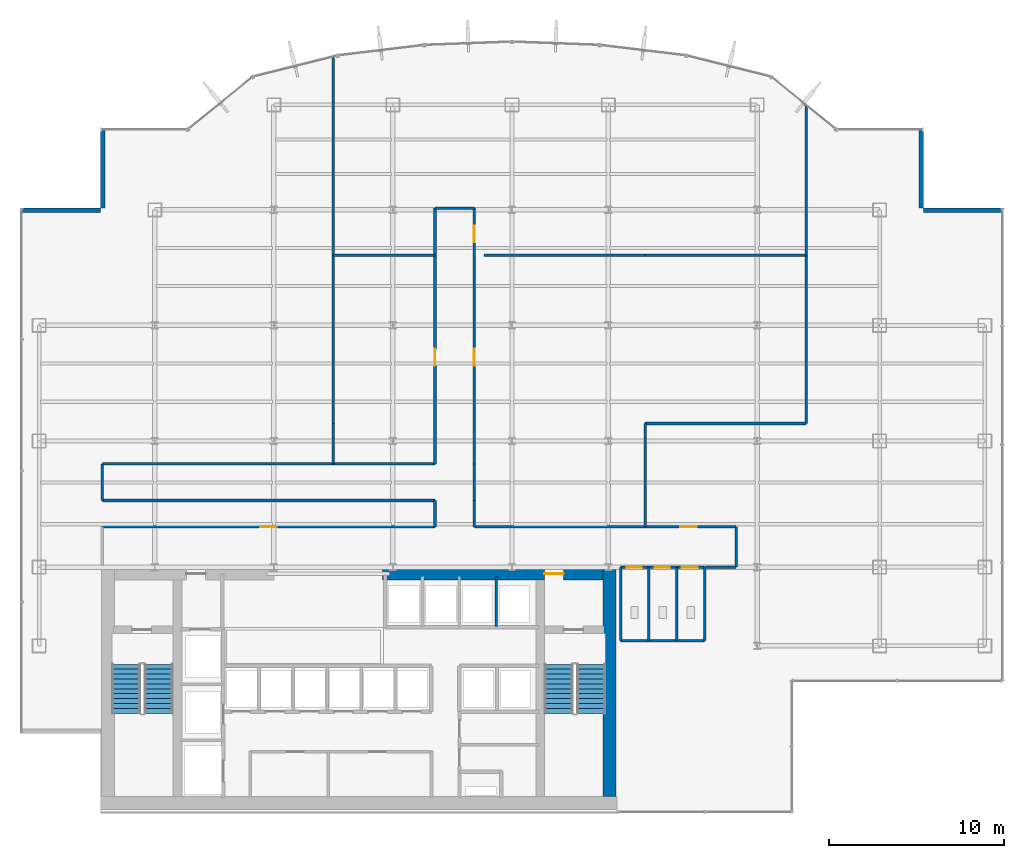
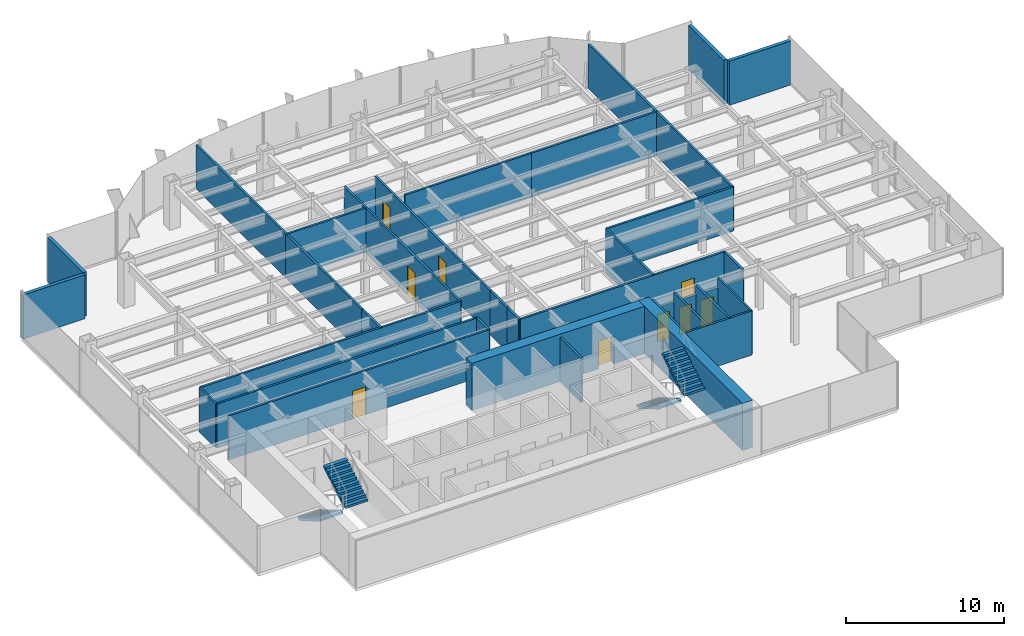
# One storey, part 22 of 26: 36 walls, 9 doors, 4 stair flights, 9 openings, 2 elements without a shape of their own.
"""IFC4 building model written with IfcOpenShell, lengths in metres."""

from ifc_helpers import new_model, si_unit, derived_unit, direction, frame, frame_2d, origin, place, context, subcontext, project, spatial, polyline, rectangle, outline, extrude, source, transform, mapped, material, layer, layer_set, type_object, element, fill, aggregate, save


model = new_model("IFC4")

# Units and contexts
model_context = context("Model", 3, precision=1e-05, world=origin(), true_north=direction((0.0, 1.0)))
body_context = subcontext(model_context, "Body", "Model", "MODEL_VIEW")
ifc_project = project(units=[si_unit("LENGTHUNIT", "METRE"), si_unit("AREAUNIT", "SQUARE_METRE"), si_unit("VOLUMEUNIT", "CUBIC_METRE"), si_unit("PLANEANGLEUNIT", "RADIAN"), si_unit("MASSUNIT", "GRAM", prefix="KILO"), derived_unit("THERMALTRANSMITTANCEUNIT", [(si_unit("POWERUNIT", "WATT"), 1), (si_unit("LENGTHUNIT", "METRE"), -2), (si_unit("THERMODYNAMICTEMPERATUREUNIT", "KELVIN"), -1)])], contexts=[model_context])

# Site, building, storey
site_placement = place(None, origin())
site = spatial("IfcSite", under=ifc_project, at=site_placement, CompositionType="ELEMENT")
building_placement = place(site_placement, origin())
building = spatial("IfcBuilding", under=site, at=building_placement, Name="Skarnbrae Concourse Arena and Tower", CompositionType="ELEMENT")
storey_placement = place(building_placement, frame((0.0, 0.0, 95.949951171875)))
storey = spatial("IfcBuildingStorey", under=building, at=storey_placement, Name="L23", CompositionType="ELEMENT", Elevation=95.949951171875)

# Wall
ifc_material_1 = material(Name="Concrete 60 MPa (C60/75)", Category="concrete")
ifc_layer_1 = layer(ifc_material_1, 0.75)
ifc_layer_set_1 = layer_set([ifc_layer_1], Name="Concrete 60 MPa (C60/75)")
wall_type_1 = type_object("IfcWallType", Name="WALL-CORE-750-C60", PredefinedType="SHEAR", material=ifc_layer_set_1)
shared_shape_1 = source(origin(), body_context, "Body", "SweptSolid", [
    extrude(rectangle(XDim=13.10009765625, YDim=0.75, at=frame_2d((6.550048828125, 0.0))), origin(), (0.0, 0.0, 1.0), 3.650146484375),
])
wall_1_placement = place(storey_placement, frame((33.574951171875, 0.89990234375, 0.0), z_axis=(0.0, 0.0, 1.0), x_axis=(0.0, 1.0, 0.0)))
element("IfcWall", 1, at=wall_1_placement, inside=storey, type_object=wall_type_1, Name="L23 Rear core shear wall CW-E", PredefinedType="SHEAR", context=body_context, shape_type="MappedRepresentation", body=[
    mapped(shared_shape_1, transform((0.0, 0.0, 0.0))),
])

# Wall, opening, door
shared_shape_2 = source(origin(), body_context, "Body", "SweptSolid", [
    extrude(rectangle(XDim=12.599853515625, YDim=0.75, at=frame_2d((6.2998046875, 0.0))), origin(), (0.0, 0.0, 1.0), 3.650146484375),
])
wall_2_placement = place(storey_placement, frame((20.60009765625, 13.625, 0.0), z_axis=(0.0, 0.0, 1.0), x_axis=(1.0, 0.0, 0.0)))
wall_2 = element("IfcWall", 2, at=wall_2_placement, inside=storey, type_object=wall_type_1, Name="L23 Rear core shear wall CW-NE", PredefinedType="SHEAR", context=body_context, shape_type="MappedRepresentation", body=[
    mapped(shared_shape_2, transform((0.0, 0.0, 0.0))),
])
opening_1_placement = place(wall_2_placement, frame((9.25, 0.0, 0.0)))
opening_1 = element("IfcOpeningElement", 3, at=opening_1_placement, cuts=wall_2, Name="Opening DT-03", PredefinedType="OPENING", context=body_context, shape_type="SweptSolid", body=[
    extrude(rectangle(XDim=1.10009765625, YDim=2.14990234375, at=frame_2d((0.550048828125, 1.074951171875))), frame((0.0, 0.385009765625, 0.0), z_axis=(0.0, -1.0, 0.0), x_axis=(1.0, 0.0, 0.0)), (0.0, 0.0, 1.0), 0.77001953125),
])
ifc_material_2 = material(Name="Steel CSA G40.21 350W", Category="steel")
door_type_1 = type_object("IfcDoorType", Name="DOOR-FIRE-1100-90M", OperationType="NOTDEFINED", PredefinedType="DOOR", material=ifc_material_2)
shared_shape_3 = source(origin(), body_context, "Body", "SweptSolid", [
    extrude(rectangle(XDim=1.10009765625, YDim=2.14990234375, at=frame_2d((0.550048828125, 1.074951171875))), frame((0.0, 0.02490234375, 0.0), z_axis=(0.0, -1.0, 0.0), x_axis=(1.0, 0.0, 0.0)), (0.0, 0.0, 1.0), 0.050048828125),
])
door_1_placement = place(opening_1_placement, origin())
door_1 = element("IfcDoor", 4, at=door_1_placement, inside=storey, type_object=door_type_1, Name="D-0790 Stair ST-2 Vestibule Door", OperationType="SINGLE_SWING_LEFT", OverallHeight=2.14990234375, OverallWidth=1.10009765625, PredefinedType="DOOR", context=body_context, shape_type="MappedRepresentation", body=[
    mapped(shared_shape_3, transform((0.0, 0.0, 0.0))),
])
fill(opening_1, door_1)

# Walls
ifc_material_3 = material(Name="Precast concrete 40 MPa (C40/50)", Category="concrete")
ifc_layer_2 = layer(ifc_material_3, 0.25)
ifc_layer_set_2 = layer_set([ifc_layer_2], Name="Precast concrete 40 MPa (C40/50)")
wall_type_2 = type_object("IfcWallType", Name="WALL-EXT-SPANDREL-250", PredefinedType="STANDARD", material=ifc_layer_set_2)
shared_shape_4 = source(origin(), body_context, "Body", "SweptSolid", [
    extrude(rectangle(XDim=4.5, YDim=0.25, at=frame_2d((2.25, 0.0))), origin(), (0.0, 0.0, 1.0), 3.400146484375),
])
for number, where, z_axis, x_axis, name in (
    (5, (56.0, 34.375, 0.0), (0.0, 0.0, 1.0), (-1.0, 0.0, 0.0), "L23 Notched corner insulated return wall 05"),
    (6, (51.375, 34.5, 0.0), (0.0, 0.0, 1.0), (0.0, 1.0, 0.0), "L23 Notched corner insulated return wall 06"),
    (7, (4.625, 39.0, 0.0), (0.0, 0.0, 1.0), (0.0, -1.0, 0.0), "L23 Notched corner insulated return wall 17"),
    (8, (4.5, 34.375, 0.0), (0.0, 0.0, 1.0), (-1.0, 0.0, 0.0), "L23 Notched corner insulated return wall 18"),
):
    element("IfcWall", number, at=place(storey_placement, frame(where, z_axis=z_axis, x_axis=x_axis)), inside=storey, type_object=wall_type_2, Name=name, PredefinedType="STANDARD", context=body_context, shape_type="MappedRepresentation", body=[
        mapped(shared_shape_4, transform((0.0, 0.0, 0.0))),
    ])
ifc_material_4 = material(Name="Gypsum board on cold-formed steel studs", Category="steel")
ifc_layer_3 = layer(ifc_material_4, 0.14990234375)
ifc_layer_set_3 = layer_set([ifc_layer_3], Name="Gypsum board on cold-formed steel studs")
wall_type_3 = type_object("IfcWallType", Name="WALL-PART-150", PredefinedType="PARTITIONING", material=ifc_layer_set_3)
shared_shape_5 = source(origin(), body_context, "Body", "SweptSolid", [
    extrude(rectangle(XDim=2.849853515625, YDim=0.14990234375, at=frame_2d((1.4248046875, 0.0))), origin(), (0.0, 0.0, 1.0), 3.400146484375),
])
wall_3_placement = place(storey_placement, frame((27.090087890625, 10.60009765625, 0.0), z_axis=(0.0, 0.0, 1.0), x_axis=(0.0, 1.0, 0.0)))
element("IfcWall", 9, at=wall_3_placement, inside=storey, type_object=wall_type_3, Name="L23 Interior partition wall W-L23-B3N-P3", PredefinedType="PARTITIONING", context=body_context, shape_type="MappedRepresentation", body=[
    mapped(shared_shape_5, transform((0.0, 0.0, 0.0))),
])
shared_shape_6 = source(origin(), body_context, "Body", "SweptSolid", [
    extrude(rectangle(XDim=4.800048828125, YDim=0.14990234375, at=frame_2d((2.39990234375, 0.0))), origin(), (0.0, 0.0, 1.0), 3.400146484375),
])
wall_4_placement = place(storey_placement, frame((34.199951171875, 9.800048828125, 0.0), z_axis=(0.0, 0.0, 1.0), x_axis=(1.0, 0.0, 0.0)))
element("IfcWall", 10, at=wall_4_placement, inside=storey, type_object=wall_type_3, Name="L23 Interior partition wall W-L23-WC-S", PredefinedType="PARTITIONING", context=body_context, shape_type="MappedRepresentation", body=[
    mapped(shared_shape_6, transform((0.0, 0.0, 0.0))),
])
shared_shape_7 = source(origin(), body_context, "Body", "SweptSolid", [
    extrude(rectangle(XDim=4.179931640625, YDim=0.14990234375, at=frame_2d((2.08984375, 0.0))), origin(), (0.0, 0.0, 1.0), 3.400146484375),
])
for number, where, z_axis, x_axis, name in (
    (11, (39.0, 9.800048828125, 0.0), (0.0, 0.0, 1.0), (0.0, 1.0, 0.0), "L23 Interior partition wall W-L23-WC-E"),
    (12, (34.199951171875, 9.800048828125, 0.0), (0.0, 0.0, 1.0), (0.0, 1.0, 0.0), "L23 Interior partition wall W-L23-WC-W"),
    (13, (35.800048828125, 9.800048828125, 0.0), (0.0, 0.0, 1.0), (0.0, 1.0, 0.0), "L23 Interior partition wall W-L23-WC-D1"),
    (14, (37.39990234375, 9.800048828125, 0.0), (0.0, 0.0, 1.0), (0.0, 1.0, 0.0), "L23 Interior partition wall W-L23-WC-D2"),
):
    element("IfcWall", number, at=place(storey_placement, frame(where, z_axis=z_axis, x_axis=x_axis)), inside=storey, type_object=wall_type_3, Name=name, PredefinedType="PARTITIONING", context=body_context, shape_type="MappedRepresentation", body=[
        mapped(shared_shape_7, transform((0.0, 0.0, 0.0))),
    ])

# Wall, openings, doors
shared_shape_8 = source(origin(), body_context, "Body", "SweptSolid", [
    extrude(rectangle(XDim=4.800048828125, YDim=0.14990234375, at=frame_2d((2.39990234375, 0.0))), origin(), (0.0, 0.0, 1.0), 2.7021484375),
])
wall_5_placement = place(storey_placement, frame((34.199951171875, 13.97998046875, 0.0), z_axis=(0.0, 0.0, 1.0), x_axis=(1.0, 0.0, 0.0)))
wall_5 = element("IfcWall", 15, at=wall_5_placement, inside=storey, type_object=wall_type_3, Name="L23 Interior partition wall W-L23-WC-N", PredefinedType="PARTITIONING", context=body_context, shape_type="MappedRepresentation", body=[
    mapped(shared_shape_8, transform((0.0, 0.0, 0.0))),
])
opening_2_placement = place(wall_5_placement, frame((0.35009765625, 0.0, 0.0)))
opening_2 = element("IfcOpeningElement", 16, at=opening_2_placement, cuts=wall_5, Name="Opening DT-06", PredefinedType="OPENING", context=body_context, shape_type="SweptSolid", body=[
    extrude(rectangle(XDim=0.85009765625, YDim=2.10009765625, at=frame_2d((0.425048828125, 1.050048828125))), frame((0.0, 0.0849609375, 0.0), z_axis=(0.0, -1.0, 0.0), x_axis=(1.0, 0.0, 0.0)), (0.0, 0.0, 1.0), 0.169921875),
])
opening_3_placement = place(wall_5_placement, frame((1.949951171875, 0.0, 0.0)))
opening_3 = element("IfcOpeningElement", 17, at=opening_3_placement, cuts=wall_5, Name="Opening DT-06", PredefinedType="OPENING", context=body_context, shape_type="SweptSolid", body=[
    extrude(rectangle(XDim=0.85009765625, YDim=2.10009765625, at=frame_2d((0.425048828125, 1.050048828125))), frame((0.0, 0.0849609375, 0.0), z_axis=(0.0, -1.0, 0.0), x_axis=(1.0, 0.0, 0.0)), (0.0, 0.0, 1.0), 0.169921875),
])
opening_4_placement = place(wall_5_placement, frame((3.5, 0.0, 0.0)))
opening_4 = element("IfcOpeningElement", 18, at=opening_4_placement, cuts=wall_5, Name="Opening DT-05", PredefinedType="OPENING", context=body_context, shape_type="SweptSolid", body=[
    extrude(rectangle(XDim=0.89990234375, YDim=2.10009765625, at=frame_2d((0.449951171875, 1.050048828125))), frame((0.0, 0.0849609375, 0.0), z_axis=(0.0, -1.0, 0.0), x_axis=(1.0, 0.0, 0.0)), (0.0, 0.0, 1.0), 0.169921875),
])
ifc_material_5 = material(Name="Architectural oak veneer timber leaf", Category="wood")
door_type_2 = type_object("IfcDoorType", Name="DOOR-INT-850", OperationType="NOTDEFINED", PredefinedType="DOOR", material=ifc_material_5)
shared_shape_9 = source(origin(), body_context, "Body", "SweptSolid", [
    extrude(rectangle(XDim=0.85009765625, YDim=2.10009765625, at=frame_2d((0.425048828125, 1.050048828125))), frame((0.0, 0.02490234375, 0.0), z_axis=(0.0, -1.0, 0.0), x_axis=(1.0, 0.0, 0.0)), (0.0, 0.0, 1.0), 0.050048828125),
])
door_2_placement = place(opening_2_placement, frame((0.85009765625, 0.0, 0.0), z_axis=(0.0, 0.0, 1.0), x_axis=(-1.0, 0.0, 0.0)))
door_2 = element("IfcDoor", 19, at=door_2_placement, inside=storey, type_object=door_type_2, Name="D-0804 Male Washroom Door", OperationType="SINGLE_SWING_LEFT", OverallHeight=2.10009765625, OverallWidth=0.85009765625, PredefinedType="DOOR", context=body_context, shape_type="MappedRepresentation", body=[
    mapped(shared_shape_9, transform((0.0, 0.0, 0.0))),
])
fill(opening_2, door_2)
door_3_placement = place(opening_3_placement, frame((0.85009765625, 0.0, 0.0), z_axis=(0.0, 0.0, 1.0), x_axis=(-1.0, 0.0, 0.0)))
door_3 = element("IfcDoor", 20, at=door_3_placement, inside=storey, type_object=door_type_2, Name="D-0805 Female Washroom Door", OperationType="SINGLE_SWING_RIGHT", OverallHeight=2.10009765625, OverallWidth=0.85009765625, PredefinedType="DOOR", context=body_context, shape_type="MappedRepresentation", body=[
    mapped(shared_shape_9, transform((0.0, 0.0, 0.0))),
])
fill(opening_3, door_3)
door_type_3 = type_object("IfcDoorType", Name="DOOR-INT-900", OperationType="NOTDEFINED", PredefinedType="DOOR", material=ifc_material_5)
shared_shape_10 = source(origin(), body_context, "Body", "SweptSolid", [
    extrude(rectangle(XDim=0.89990234375, YDim=2.10009765625, at=frame_2d((0.449951171875, 1.050048828125))), frame((0.0, 0.02490234375, 0.0), z_axis=(0.0, -1.0, 0.0), x_axis=(1.0, 0.0, 0.0)), (0.0, 0.0, 1.0), 0.050048828125),
])
door_4_placement = place(opening_4_placement, frame((0.89990234375, 0.0, 0.0), z_axis=(0.0, 0.0, 1.0), x_axis=(-1.0, 0.0, 0.0)))
door_4 = element("IfcDoor", 21, at=door_4_placement, inside=storey, type_object=door_type_3, Name="D-0806 Accessible WC Door", OperationType="SINGLE_SWING_LEFT", OverallHeight=2.10009765625, OverallWidth=0.89990234375, PredefinedType="DOOR", context=body_context, shape_type="MappedRepresentation", body=[
    mapped(shared_shape_10, transform((0.0, 0.0, 0.0))),
])
fill(opening_4, door_4)

# Walls
ifc_layer_4 = layer(ifc_material_4, 0.14990234375)
ifc_layer_set_4 = layer_set([ifc_layer_4], Name="Gypsum board on cold-formed steel studs")
wall_type_4 = type_object("IfcWallType", Name="WALL-PART-150-1HR", PredefinedType="PARTITIONING", material=ifc_layer_set_4)
shared_shape_11 = source(origin(), body_context, "Body", "SweptSolid", [
    extrude(rectangle(XDim=2.25, YDim=0.14990234375, at=frame_2d((1.125, 0.0))), origin(), (0.0, 0.0, 1.0), 2.7021484375),
])
wall_6_placement = place(storey_placement, frame((23.60009765625, 34.5, 0.0), z_axis=(0.0, 0.0, 1.0), x_axis=(1.0, 0.0, 0.0)))
element("IfcWall", 22, at=wall_6_placement, inside=storey, type_object=wall_type_4, Name="L23 Interior partition wall W-L23-COR-08", PredefinedType="PARTITIONING", context=body_context, shape_type="MappedRepresentation", body=[
    mapped(shared_shape_11, transform((0.0, 0.0, 0.0))),
])
shared_shape_12 = source(origin(), body_context, "Body", "SweptSolid", [
    extrude(rectangle(XDim=2.300048828125, YDim=0.14990234375, at=frame_2d((1.14990234375, 0.0))), origin(), (0.0, 0.0, 1.0), 3.400146484375),
])
wall_7_placement = place(storey_placement, frame((40.800048828125, 16.300048828125, 0.0), z_axis=(0.0, 0.0, 1.0), x_axis=(0.0, -1.0, 0.0)))
element("IfcWall", 23, at=wall_7_placement, inside=storey, type_object=wall_type_4, Name="L23 Interior partition wall W-L23-COR-13", PredefinedType="PARTITIONING", context=body_context, shape_type="MappedRepresentation", body=[
    mapped(shared_shape_12, transform((0.0, 0.0, 0.0))),
])
wall_8_placement = place(storey_placement, frame((17.800048828125, 22.199951171875, 0.0), z_axis=(0.0, 0.0, 1.0), x_axis=(0.0, -1.0, 0.0)))
element("IfcWall", 24, at=wall_8_placement, inside=storey, type_object=wall_type_3, Name="L23 Interior partition wall W-L23-DEM-16", PredefinedType="PARTITIONING", context=body_context, shape_type="MappedRepresentation", body=[
    mapped(shared_shape_12, transform((0.0, 0.0, 0.0))),
])
shared_shape_13 = source(origin(), body_context, "Body", "SweptSolid", [
    extrude(rectangle(XDim=1.75, YDim=0.14990234375, at=frame_2d((0.875, 0.0))), origin(), (0.0, 0.0, 1.0), 2.7021484375),
])
wall_9_placement = place(storey_placement, frame((40.800048828125, 14.0, 0.0), z_axis=(0.0, 0.0, 1.0), x_axis=(-1.0, 0.0, 0.0)))
element("IfcWall", 25, at=wall_9_placement, inside=storey, type_object=wall_type_4, Name="L23 Interior partition wall W-L23-COR-14", PredefinedType="PARTITIONING", context=body_context, shape_type="MappedRepresentation", body=[
    mapped(shared_shape_13, transform((0.0, 0.0, 0.0))),
])

# Wall, opening, door
shared_shape_14 = source(origin(), body_context, "Body", "SweptSolid", [
    extrude(rectangle(XDim=19.0, YDim=0.14990234375, at=frame_2d((9.5, 0.0))), origin(), (0.0, 0.0, 1.0), 3.400146484375),
])
wall_10_placement = place(storey_placement, frame((4.60009765625, 16.300048828125, 0.0), z_axis=(0.0, 0.0, 1.0), x_axis=(1.0, 0.0, 0.0)))
wall_10 = element("IfcWall", 26, at=wall_10_placement, inside=storey, type_object=wall_type_4, Name="L23 Interior partition wall W-L23-COR-02", PredefinedType="PARTITIONING", context=body_context, shape_type="MappedRepresentation", body=[
    mapped(shared_shape_14, transform((0.0, 0.0, 0.0))),
])
opening_5_placement = place(wall_10_placement, frame((9.02490234375, 0.0, 0.0)))
opening_5 = element("IfcOpeningElement", 27, at=opening_5_placement, cuts=wall_10, Name="Opening DT-04", PredefinedType="OPENING", context=body_context, shape_type="SweptSolid", body=[
    extrude(rectangle(XDim=0.949951171875, YDim=2.14990234375, at=frame_2d((0.47509765625, 1.074951171875))), frame((0.0, 0.0849609375, 0.0), z_axis=(0.0, -1.0, 0.0), x_axis=(1.0, 0.0, 0.0)), (0.0, 0.0, 1.0), 0.169921875),
])
door_type_4 = type_object("IfcDoorType", Name="DOOR-INT-950-45M", OperationType="NOTDEFINED", PredefinedType="DOOR", material=ifc_material_2)
shared_shape_15 = source(origin(), body_context, "Body", "SweptSolid", [
    extrude(rectangle(XDim=0.949951171875, YDim=2.14990234375, at=frame_2d((0.47509765625, 1.074951171875))), frame((0.0, 0.02490234375, 0.0), z_axis=(0.0, -1.0, 0.0), x_axis=(1.0, 0.0, 0.0)), (0.0, 0.0, 1.0), 0.050048828125),
])
door_5_placement = place(opening_5_placement, origin())
door_5 = element("IfcDoor", 28, at=door_5_placement, inside=storey, type_object=door_type_4, Name="D-0807 L23 Suite Door 01", OperationType="SINGLE_SWING_RIGHT", OverallHeight=2.14990234375, OverallWidth=0.949951171875, PredefinedType="DOOR", context=body_context, shape_type="MappedRepresentation", body=[
    mapped(shared_shape_15, transform((0.0, 0.0, 0.0))),
])
fill(opening_5, door_5)

# Walls
for number, where, z_axis, x_axis, name in (
    (29, (23.60009765625, 17.800048828125, 0.0), (0.0, 0.0, 1.0), (-1.0, 0.0, 0.0), "L23 Interior partition wall W-L23-COR-04"),
    (30, (4.60009765625, 19.89990234375, 0.0), (0.0, 0.0, 1.0), (1.0, 0.0, 0.0), "L23 Interior partition wall W-L23-COR-06"),
):
    element("IfcWall", number, at=place(storey_placement, frame(where, z_axis=z_axis, x_axis=x_axis)), inside=storey, type_object=wall_type_4, Name=name, PredefinedType="PARTITIONING", context=body_context, shape_type="MappedRepresentation", body=[
        mapped(shared_shape_14, transform((0.0, 0.0, 0.0))),
    ])
shared_shape_16 = source(origin(), body_context, "Body", "SweptSolid", [
    extrude(rectangle(XDim=1.5, YDim=0.14990234375, at=frame_2d((0.75, 0.0))), origin(), (0.0, 0.0, 1.0), 3.400146484375),
])
for number, where, z_axis, x_axis, name in (
    (31, (23.60009765625, 16.300048828125, 0.0), (0.0, 0.0, 1.0), (0.0, 1.0, 0.0), "L23 Interior partition wall W-L23-COR-03"),
    (32, (25.85009765625, 17.800048828125, 0.0), (0.0, 0.0, 1.0), (0.0, -1.0, 0.0), "L23 Interior partition wall W-L23-COR-11"),
):
    element("IfcWall", number, at=place(storey_placement, frame(where, z_axis=z_axis, x_axis=x_axis)), inside=storey, type_object=wall_type_4, Name=name, PredefinedType="PARTITIONING", context=body_context, shape_type="MappedRepresentation", body=[
        mapped(shared_shape_16, transform((0.0, 0.0, 0.0))),
    ])
shared_shape_17 = source(origin(), body_context, "Body", "SweptSolid", [
    extrude(rectangle(XDim=2.099853515625, YDim=0.14990234375, at=frame_2d((1.0498046875, 0.0))), origin(), (0.0, 0.0, 1.0), 3.400146484375),
])
for number, where, z_axis, x_axis, name in (
    (33, (4.60009765625, 17.800048828125, 0.0), (0.0, 0.0, 1.0), (0.0, 1.0, 0.0), "L23 Interior partition wall W-L23-COR-05"),
    (34, (25.85009765625, 19.89990234375, 0.0), (0.0, 0.0, 1.0), (0.0, -1.0, 0.0), "L23 Interior partition wall W-L23-COR-10"),
):
    element("IfcWall", number, at=place(storey_placement, frame(where, z_axis=z_axis, x_axis=x_axis)), inside=storey, type_object=wall_type_4, Name=name, PredefinedType="PARTITIONING", context=body_context, shape_type="MappedRepresentation", body=[
        mapped(shared_shape_17, transform((0.0, 0.0, 0.0))),
    ])

# Wall, opening, door
shared_shape_18 = source(origin(), body_context, "Body", "SweptSolid", [
    extrude(rectangle(XDim=14.60009765625, YDim=0.14990234375, at=frame_2d((7.300048828125, 0.0))), origin(), (0.0, 0.0, 1.0), 3.400146484375),
])
wall_11_placement = place(storey_placement, frame((23.60009765625, 19.89990234375, 0.0), z_axis=(0.0, 0.0, 1.0), x_axis=(0.0, 1.0, 0.0)))
wall_11 = element("IfcWall", 35, at=wall_11_placement, inside=storey, type_object=wall_type_4, Name="L23 Interior partition wall W-L23-COR-07", PredefinedType="PARTITIONING", context=body_context, shape_type="MappedRepresentation", body=[
    mapped(shared_shape_18, transform((0.0, 0.0, 0.0))),
])
opening_6_placement = place(wall_11_placement, frame((5.60498046875, 0.0, 0.0)))
opening_6 = element("IfcOpeningElement", 36, at=opening_6_placement, cuts=wall_11, Name="Opening DT-04", PredefinedType="OPENING", context=body_context, shape_type="SweptSolid", body=[
    extrude(rectangle(XDim=0.949951171875, YDim=2.14990234375, at=frame_2d((0.47509765625, 1.074951171875))), frame((0.0, 0.0849609375, 0.0), z_axis=(0.0, -1.0, 0.0), x_axis=(1.0, 0.0, 0.0)), (0.0, 0.0, 1.0), 0.169921875),
])
door_6_placement = place(opening_6_placement, origin())
door_6 = element("IfcDoor", 37, at=door_6_placement, inside=storey, type_object=door_type_4, Name="D-0808 L23 Suite Door 02", OperationType="SINGLE_SWING_LEFT", OverallHeight=2.14990234375, OverallWidth=0.949951171875, PredefinedType="DOOR", context=body_context, shape_type="MappedRepresentation", body=[
    mapped(shared_shape_15, transform((0.0, 0.0, 0.0))),
])
fill(opening_6, door_6)

# Wall, openings, doors
wall_12_placement = place(storey_placement, frame((25.85009765625, 34.5, 0.0), z_axis=(0.0, 0.0, 1.0), x_axis=(0.0, -1.0, 0.0)))
wall_12 = element("IfcWall", 38, at=wall_12_placement, inside=storey, type_object=wall_type_4, Name="L23 Interior partition wall W-L23-COR-09", PredefinedType="PARTITIONING", context=body_context, shape_type="MappedRepresentation", body=[
    mapped(shared_shape_18, transform((0.0, 0.0, 0.0))),
])
opening_7_placement = place(wall_12_placement, frame((1.0048828125, 0.0, 0.0)))
opening_7 = element("IfcOpeningElement", 39, at=opening_7_placement, cuts=wall_12, Name="Opening DT-04", PredefinedType="OPENING", context=body_context, shape_type="SweptSolid", body=[
    extrude(rectangle(XDim=0.949951171875, YDim=2.14990234375, at=frame_2d((0.47509765625, 1.074951171875))), frame((0.0, 0.0849609375, 0.0), z_axis=(0.0, -1.0, 0.0), x_axis=(1.0, 0.0, 0.0)), (0.0, 0.0, 1.0), 0.169921875),
])
opening_8_placement = place(wall_12_placement, frame((8.044921875, 0.0, 0.0)))
opening_8 = element("IfcOpeningElement", 40, at=opening_8_placement, cuts=wall_12, Name="Opening DT-04", PredefinedType="OPENING", context=body_context, shape_type="SweptSolid", body=[
    extrude(rectangle(XDim=0.949951171875, YDim=2.14990234375, at=frame_2d((0.47509765625, 1.074951171875))), frame((0.0, 0.0849609375, 0.0), z_axis=(0.0, -1.0, 0.0), x_axis=(1.0, 0.0, 0.0)), (0.0, 0.0, 1.0), 0.169921875),
])
door_7_placement = place(opening_7_placement, origin())
door_7 = element("IfcDoor", 41, at=door_7_placement, inside=storey, type_object=door_type_4, Name="D-0809 L23 Suite Door 03", OperationType="SINGLE_SWING_RIGHT", OverallHeight=2.14990234375, OverallWidth=0.949951171875, PredefinedType="DOOR", context=body_context, shape_type="MappedRepresentation", body=[
    mapped(shared_shape_15, transform((0.0, 0.0, 0.0))),
])
fill(opening_7, door_7)
door_8_placement = place(opening_8_placement, origin())
door_8 = element("IfcDoor", 42, at=door_8_placement, inside=storey, type_object=door_type_4, Name="D-0810 L23 Suite Door 04", OperationType="SINGLE_SWING_LEFT", OverallHeight=2.14990234375, OverallWidth=0.949951171875, PredefinedType="DOOR", context=body_context, shape_type="MappedRepresentation", body=[
    mapped(shared_shape_15, transform((0.0, 0.0, 0.0))),
])
fill(opening_8, door_8)

# Wall, opening, door
shared_shape_19 = source(origin(), body_context, "Body", "SweptSolid", [
    extrude(rectangle(XDim=14.949951171875, YDim=0.14990234375, at=frame_2d((7.47509765625, 0.0))), origin(), (0.0, 0.0, 1.0), 3.400146484375),
])
wall_13_placement = place(storey_placement, frame((25.85009765625, 16.300048828125, 0.0), z_axis=(0.0, 0.0, 1.0), x_axis=(1.0, 0.0, 0.0)))
wall_13 = element("IfcWall", 43, at=wall_13_placement, inside=storey, type_object=wall_type_4, Name="L23 Interior partition wall W-L23-COR-12", PredefinedType="PARTITIONING", context=body_context, shape_type="MappedRepresentation", body=[
    mapped(shared_shape_19, transform((0.0, 0.0, 0.0))),
])
opening_9_placement = place(wall_13_placement, frame((11.7451171875, 0.0, 0.0)))
opening_9 = element("IfcOpeningElement", 44, at=opening_9_placement, cuts=wall_13, Name="Opening DT-04", PredefinedType="OPENING", context=body_context, shape_type="SweptSolid", body=[
    extrude(rectangle(XDim=0.949951171875, YDim=2.14990234375, at=frame_2d((0.47509765625, 1.074951171875))), frame((0.0, 0.0849609375, 0.0), z_axis=(0.0, -1.0, 0.0), x_axis=(1.0, 0.0, 0.0)), (0.0, 0.0, 1.0), 0.169921875),
])
door_9_placement = place(opening_9_placement, origin())
door_9 = element("IfcDoor", 45, at=door_9_placement, inside=storey, type_object=door_type_4, Name="D-0811 L23 Suite Door 05", OperationType="SINGLE_SWING_RIGHT", OverallHeight=2.14990234375, OverallWidth=0.949951171875, PredefinedType="DOOR", context=body_context, shape_type="MappedRepresentation", body=[
    mapped(shared_shape_15, transform((0.0, 0.0, 0.0))),
])
fill(opening_9, door_9)

# Walls
shared_shape_20 = source(origin(), body_context, "Body", "SweptSolid", [
    extrude(rectangle(XDim=9.60009765625, YDim=0.14990234375, at=frame_2d((4.800048828125, 0.0))), origin(), (0.0, 0.0, 1.0), 3.400146484375),
])
for number, where, z_axis, x_axis, name in (
    (46, (17.800048828125, 31.800048828125, 0.0), (0.0, 0.0, 1.0), (0.0, -1.0, 0.0), "L23 Interior partition wall W-L23-DEM-15"),
    (47, (44.800048828125, 31.800048828125, 0.0), (0.0, 0.0, 1.0), (0.0, -1.0, 0.0), "L23 Interior partition wall W-L23-DEM-21"),
):
    element("IfcWall", number, at=place(storey_placement, frame(where, z_axis=z_axis, x_axis=x_axis)), inside=storey, type_object=wall_type_3, Name=name, PredefinedType="PARTITIONING", context=body_context, shape_type="MappedRepresentation", body=[
        mapped(shared_shape_20, transform((0.0, 0.0, 0.0))),
    ])
shared_shape_21 = source(origin(), body_context, "Body", "SweptSolid", [
    extrude(rectangle(XDim=5.800048828125, YDim=0.14990234375, at=frame_2d((2.89990234375, 0.0))), origin(), (0.0, 0.0, 1.0), 3.400146484375),
])
wall_14_placement = place(storey_placement, frame((17.800048828125, 31.800048828125, 0.0), z_axis=(0.0, 0.0, 1.0), x_axis=(1.0, 0.0, 0.0)))
element("IfcWall", 48, at=wall_14_placement, inside=storey, type_object=wall_type_3, Name="L23 Interior partition wall W-L23-DEM-17", PredefinedType="PARTITIONING", context=body_context, shape_type="MappedRepresentation", body=[
    mapped(shared_shape_21, transform((0.0, 0.0, 0.0))),
])
shared_shape_22 = source(origin(), body_context, "Body", "SweptSolid", [
    extrude(rectangle(XDim=11.3330078125, YDim=0.14990234375, at=frame_2d((5.66650390625, 0.0))), origin(), (0.0, 0.0, 1.0), 3.400146484375),
])
wall_15_placement = place(storey_placement, frame((17.800048828125, 43.133056640625, 0.0), z_axis=(0.0, 0.0, 1.0), x_axis=(0.0, -1.0, 0.0)))
element("IfcWall", 49, at=wall_15_placement, inside=storey, type_object=wall_type_3, Name="L23 Interior partition wall W-L23-DEM-18", PredefinedType="PARTITIONING", context=body_context, shape_type="MappedRepresentation", body=[
    mapped(shared_shape_22, transform((0.0, 0.0, 0.0))),
])
shared_shape_23 = source(origin(), body_context, "Body", "SweptSolid", [
    extrude(rectangle(XDim=9.199951171875, YDim=0.14990234375, at=frame_2d((4.60009765625, 0.0))), origin(), (0.0, 0.0, 1.0), 3.400146484375),
])
for number, where, z_axis, x_axis, name in (
    (50, (44.800048828125, 31.800048828125, 0.0), (0.0, 0.0, 1.0), (-1.0, 0.0, 0.0), "L23 Interior partition wall W-L23-DEM-19"),
    (51, (44.800048828125, 22.199951171875, 0.0), (0.0, 0.0, 1.0), (-1.0, 0.0, 0.0), "L23 Interior partition wall W-L23-DEM-22"),
):
    element("IfcWall", number, at=place(storey_placement, frame(where, z_axis=z_axis, x_axis=x_axis)), inside=storey, type_object=wall_type_3, Name=name, PredefinedType="PARTITIONING", context=body_context, shape_type="MappedRepresentation", body=[
        mapped(shared_shape_23, transform((0.0, 0.0, 0.0))),
    ])
shared_shape_24 = source(origin(), body_context, "Body", "SweptSolid", [
    extrude(rectangle(XDim=9.2001953125, YDim=0.14990234375, at=frame_2d((4.60009765625, 0.0))), origin(), (0.0, 0.0, 1.0), 3.400146484375),
])
wall_16_placement = place(storey_placement, frame((35.60009765625, 31.800048828125, 0.0), z_axis=(0.0, 0.0, 1.0), x_axis=(-1.0, 0.0, 0.0)))
element("IfcWall", 52, at=wall_16_placement, inside=storey, type_object=wall_type_3, Name="L23 Interior partition wall W-L23-DEM-20", PredefinedType="PARTITIONING", context=body_context, shape_type="MappedRepresentation", body=[
    mapped(shared_shape_24, transform((0.0, 0.0, 0.0))),
])
shared_shape_25 = source(origin(), body_context, "Body", "SweptSolid", [
    extrude(rectangle(XDim=5.89990234375, YDim=0.14990234375, at=frame_2d((2.949951171875, 0.0))), origin(), (0.0, 0.0, 1.0), 3.400146484375),
])
wall_17_placement = place(storey_placement, frame((35.60009765625, 22.199951171875, 0.0), z_axis=(0.0, 0.0, 1.0), x_axis=(0.0, -1.0, 0.0)))
element("IfcWall", 53, at=wall_17_placement, inside=storey, type_object=wall_type_3, Name="L23 Interior partition wall W-L23-DEM-23", PredefinedType="PARTITIONING", context=body_context, shape_type="MappedRepresentation", body=[
    mapped(shared_shape_25, transform((0.0, 0.0, 0.0))),
])
shared_shape_26 = source(origin(), body_context, "Body", "SweptSolid", [
    extrude(rectangle(XDim=8.554931640625, YDim=0.14990234375, at=frame_2d((4.27734375, 0.0))), origin(), (0.0, 0.0, 1.0), 3.400146484375),
])
wall_18_placement = place(storey_placement, frame((44.800048828125, 40.35498046875, 0.0), z_axis=(0.0, 0.0, 1.0), x_axis=(0.0, -1.0, 0.0)))
element("IfcWall", 54, at=wall_18_placement, inside=storey, type_object=wall_type_3, Name="L23 Interior partition wall W-L23-DEM-24", PredefinedType="PARTITIONING", context=body_context, shape_type="MappedRepresentation", body=[
    mapped(shared_shape_26, transform((0.0, 0.0, 0.0))),
])

# Stair, stair flights
ifc_material_6 = material(Name="Concrete 40 MPa (C40/50)", Category="concrete")
stair_type = type_object("IfcStairType", Name="STAIR-DOGLEG-1650", PredefinedType="HALF_TURN_STAIR", material=ifc_material_6)
stair_1_placement = place(storey_placement, origin())
stair_1 = element("IfcStair", 55, at=stair_1_placement, inside=storey, type_object=stair_type, Name="L23 Protected Exit Stair ST-1", PredefinedType="HALF_TURN_STAIR")
stair_flight_type = type_object("IfcStairFlightType", Name="FLIGHT-STRAIGHT-1650", PredefinedType="STRAIGHT", material=ifc_material_6)
shared_shape_27 = source(origin(), body_context, "Body", "SweptSolid", [
    extrude(outline(polyline([(0.0, 0.0), (0.0, 0.166015625), (0.280029296875, 0.166015625), (0.280029296875, 0.331787109375), (0.56005859375, 0.331787109375), (0.56005859375, 0.497802734375), (0.840087890625, 0.497802734375), (0.840087890625, 0.66357421875), (1.1201171875, 0.66357421875), (1.1201171875, 0.82958984375), (1.39990234375, 0.82958984375), (1.39990234375, 0.995361328125), (1.679931640625, 0.995361328125), (1.679931640625, 1.161376953125), (1.9599609375, 1.161376953125), (1.9599609375, 1.327392578125), (2.239990234375, 1.327392578125), (2.239990234375, 1.4931640625), (2.52001953125, 1.4931640625), (2.52001953125, 1.6591796875), (2.800048828125, 1.6591796875), (2.800048828125, 1.824951171875), (2.800048828125, 1.48486328125), (0.2939453125, 0.0), (0.0, 0.0)])), frame((0.0, 0.824951171875, 0.0), z_axis=(0.0, -1.0, 0.0), x_axis=(1.0, 0.0, 0.0)), (0.0, 0.0, 1.0), 1.64990234375),
])
stair_flight_1_placement = place(storey_placement, frame((5.97509765625, 8.449951171875, 0.0), z_axis=(0.0, 0.0, 1.0), x_axis=(0.0, -1.0, 0.0)))
stair_flight_1 = element("IfcStairFlight", 56, at=stair_flight_1_placement, type_object=stair_flight_type, Name="ST-1 flight 1", NumberOfRisers=11, NumberOfTreads=10, PredefinedType="STRAIGHT", RiserHeight=0.165909091, TreadLength=0.28, context=body_context, shape_type="MappedRepresentation", body=[
    mapped(shared_shape_27, transform((0.0, 0.0, 0.0))),
])
stair_flight_2_placement = place(storey_placement, frame((7.824951171875, 5.64990234375, 1.824951171875), z_axis=(0.0, 0.0, 1.0), x_axis=(0.0, 1.0, 0.0)))
stair_flight_2 = element("IfcStairFlight", 57, at=stair_flight_2_placement, type_object=stair_flight_type, Name="ST-1 flight 2", NumberOfRisers=11, NumberOfTreads=10, PredefinedType="STRAIGHT", RiserHeight=0.165909091, TreadLength=0.28, context=body_context, shape_type="MappedRepresentation", body=[
    mapped(shared_shape_27, transform((0.0, 0.0, 0.0))),
])
aggregate(stair_1, [stair_flight_1, stair_flight_2])

stair_2_placement = place(storey_placement, origin())
stair_2 = element("IfcStair", 58, at=stair_2_placement, inside=storey, type_object=stair_type, Name="L23 Protected Exit Stair ST-2", PredefinedType="HALF_TURN_STAIR")
stair_flight_3_placement = place(storey_placement, frame((30.675048828125, 8.449951171875, 0.0), z_axis=(0.0, 0.0, 1.0), x_axis=(0.0, -1.0, 0.0)))
stair_flight_3 = element("IfcStairFlight", 59, at=stair_flight_3_placement, type_object=stair_flight_type, Name="ST-2 flight 1", NumberOfRisers=11, NumberOfTreads=10, PredefinedType="STRAIGHT", RiserHeight=0.165909091, TreadLength=0.28, context=body_context, shape_type="MappedRepresentation", body=[
    mapped(shared_shape_27, transform((0.0, 0.0, 0.0))),
])
stair_flight_4_placement = place(storey_placement, frame((32.52490234375, 5.64990234375, 1.824951171875), z_axis=(0.0, 0.0, 1.0), x_axis=(0.0, 1.0, 0.0)))
stair_flight_4 = element("IfcStairFlight", 60, at=stair_flight_4_placement, type_object=stair_flight_type, Name="ST-2 flight 2", NumberOfRisers=11, NumberOfTreads=10, PredefinedType="STRAIGHT", RiserHeight=0.165909091, TreadLength=0.28, context=body_context, shape_type="MappedRepresentation", body=[
    mapped(shared_shape_27, transform((0.0, 0.0, 0.0))),
])
aggregate(stair_2, [stair_flight_3, stair_flight_4])

save(model, "model.ifc")
